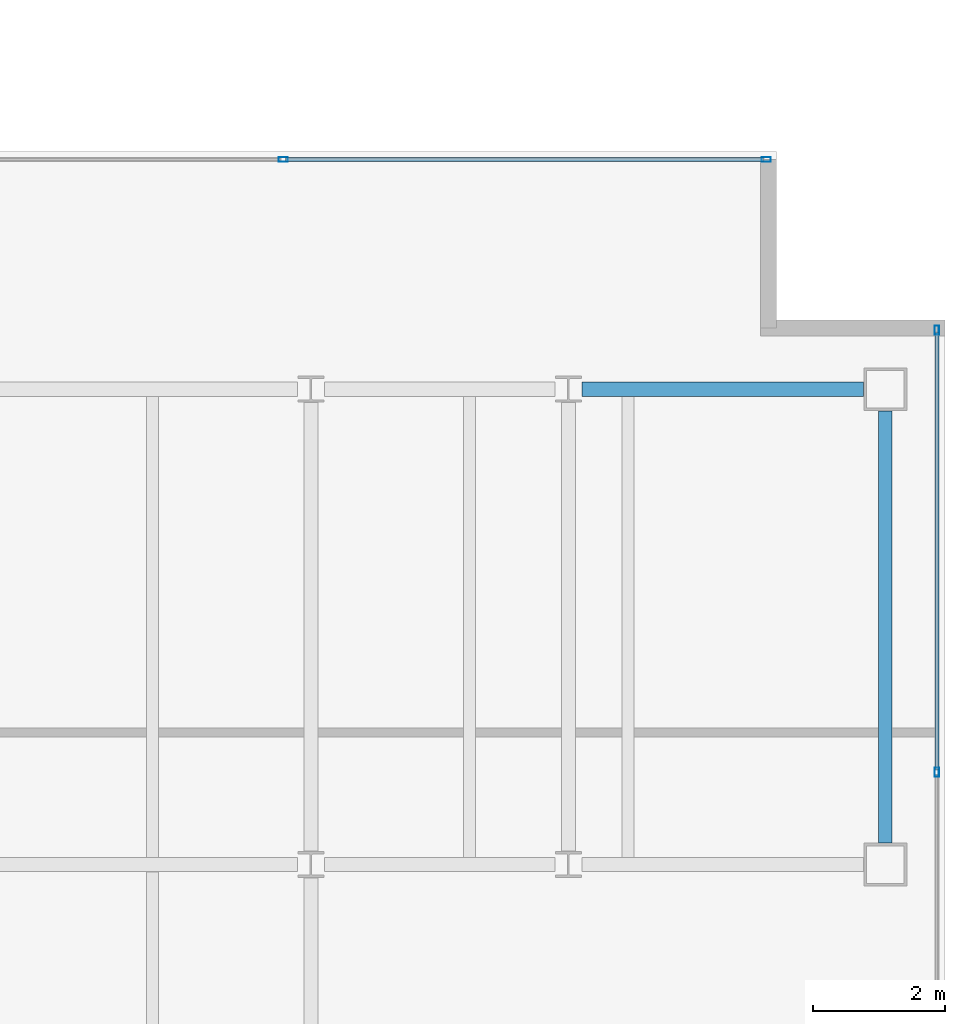
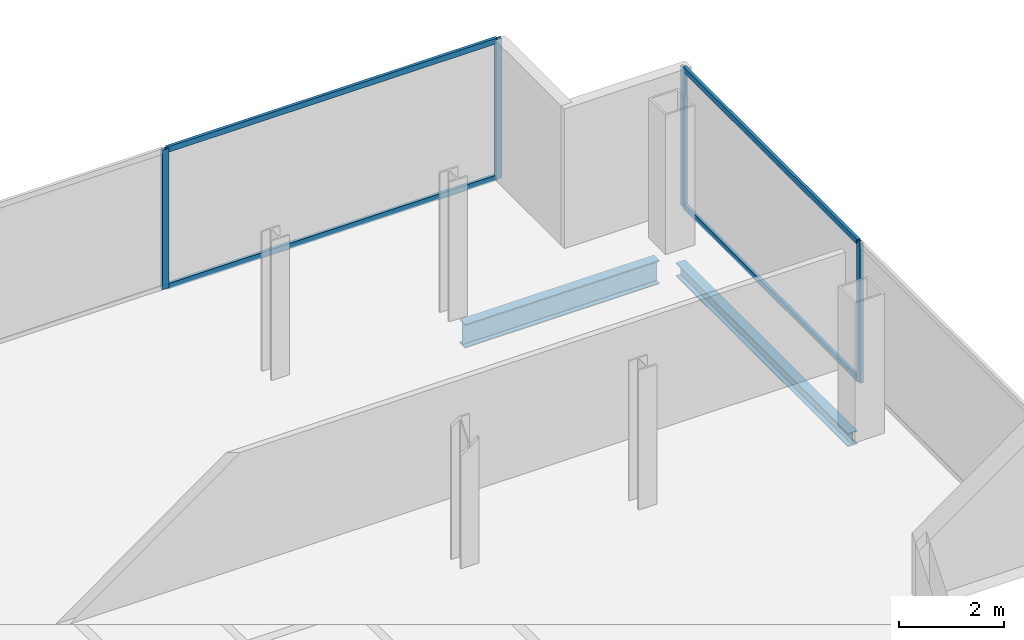
# One storey, part 16 of 23: 8 members, 2 beams, 2 elements without a shape of their own.
"""IFC4 building model written with IfcOpenShell, lengths in metres."""

import ifcopenshell
import ifcopenshell.guid

model = None  # the IFC model being written
_history = None  # IfcOwnerHistory: only IFC2X3 demands one
_inside = {}  # id of a spatial element -> (the spatial element, [elements in it])
_under = {}  # id of a project, library or spatial element -> (it, [spatial elements below it])
_declared = {}  # id of a project -> (the project, [libraries it declares])
_typed = {}  # id of a type object -> (the type object, [elements of that type])
_made_of = {}  # id of a material, layer set ... -> (it, [elements and type objects made of it])


def new_model(schema):
    """Start an empty IFC model of exactly this schema.

    Asked for "IFC4X3", IfcOpenShell would pick the latest addendum, in which some entities
    have other attributes; the version numbers below select the first issue.
    IFC2X3 requires an IfcOwnerHistory on every rooted entity: one is made here for all.
    """
    global model, _history
    if schema == "IFC4X3":
        model = ifcopenshell.file(schema_version=(4, 3, 0, 0))
    else:
        model = ifcopenshell.file(schema=schema)
    _inside.clear()
    _under.clear()
    _declared.clear()
    _typed.clear()
    _made_of.clear()
    _history = None
    if model.schema == "IFC2X3":
        org = make("IfcOrganization", Name="unknown")
        user = make(
            "IfcPersonAndOrganization",
            ThePerson=make("IfcPerson", FamilyName="unknown"),
            TheOrganization=org,
        )
        app = make(
            "IfcApplication",
            ApplicationDeveloper=org,
            Version="unknown",
            ApplicationFullName="unknown",
            ApplicationIdentifier="unknown",
        )
        _history = make(
            "IfcOwnerHistory",
            OwningUser=user,
            OwningApplication=app,
            ChangeAction="ADDED",
            CreationDate=0,
        )
    return model


def make(cls, **values):
    """One entity of the class cls with the attributes given. An attribute that is None is left unset."""
    return model.create_entity(
        cls, **{name: value for name, value in values.items() if value is not None}
    )


def rooted(cls, **values):
    """An entity with a GlobalId (a new one), such as an element, a storey or a relation."""
    return make(cls, GlobalId=ifcopenshell.guid.new(), OwnerHistory=_history, **values)


def si_unit(unit_type, name, prefix=None):
    """IfcSIUnit, for example si_unit("LENGTHUNIT", "METRE", prefix="MILLI")."""
    return make("IfcSIUnit", UnitType=unit_type, Prefix=prefix, Name=name)


def assignment(units):
    """IfcUnitAssignment: the units of a project."""
    return None if units is None else make("IfcUnitAssignment", Units=units)


def point(xyz):
    """IfcCartesianPoint."""
    return None if xyz is None else make("IfcCartesianPoint", Coordinates=xyz)


def direction(xyz):
    """IfcDirection."""
    return None if xyz is None else make("IfcDirection", DirectionRatios=xyz)


def frame(location, z_axis=None, x_axis=None):
    """IfcAxis2Placement3D, a coordinate frame: its origin and axes. An axis left out is left unset."""
    return make(
        "IfcAxis2Placement3D",
        Location=point(location),
        Axis=direction(z_axis),
        RefDirection=direction(x_axis),
    )


def frame_2d(location, x_axis=None):
    """IfcAxis2Placement2D, a coordinate frame in the plane: its origin and x axis."""
    return make(
        "IfcAxis2Placement2D", Location=point(location), RefDirection=direction(x_axis)
    )


def origin():
    """The frame at (0, 0, 0) with its axes left unset."""
    return frame((0.0, 0.0, 0.0))


def origin_2d():
    """The frame at (0, 0) in the plane with its x axis left unset."""
    return frame_2d((0.0, 0.0))


def place(relative_to, where):
    """IfcLocalPlacement: puts the frame where relative to a parent placement (None: the world)."""
    return make(
        "IfcLocalPlacement", PlacementRelTo=relative_to, RelativePlacement=where
    )


def context(
    kind, dimensions, precision=None, world=None, true_north=None, identifier=None
):
    """IfcGeometricRepresentationContext, for example the 3D "Model" context."""
    return make(
        "IfcGeometricRepresentationContext",
        ContextIdentifier=identifier,
        ContextType=kind,
        CoordinateSpaceDimension=dimensions,
        Precision=precision,
        WorldCoordinateSystem=world,
        TrueNorth=true_north,
    )


def subcontext(parent, identifier, kind, view, scale=None):
    """IfcGeometricRepresentationSubContext, for example "Body" below "Model"."""
    return make(
        "IfcGeometricRepresentationSubContext",
        ContextIdentifier=identifier,
        ContextType=kind,
        ParentContext=parent,
        TargetScale=scale,
        TargetView=view,
    )


def project(units=None, contexts=None):
    """IfcProject with its units and contexts."""
    return rooted(
        "IfcProject",
        Name="project",
        RepresentationContexts=contexts,
        UnitsInContext=assignment(units),
    )


def spatial(cls, under=None, at=None, **own):
    """A site, building, storey or space (cls), placed at a placement, below another one or the project."""
    s = rooted(cls, ObjectPlacement=at, **own)
    if under is not None:
        _under.setdefault(under.id(), (under, []))[1].append(s)
    return s


def profile(cls, at=None, kind="AREA", **sizes):
    """A parametric profile (cls). Its sizes go by their IFC names, for example OverallWidth=200.0."""
    return make(cls, ProfileType=kind, Position=at, **sizes)


def hollow_rectangle(**sizes):
    """IfcRectangleHollowProfileDef."""
    return profile("IfcRectangleHollowProfileDef", **sizes)


def i_section(**sizes):
    """IfcIShapeProfileDef."""
    return profile("IfcIShapeProfileDef", **sizes)


def extrude(swept, where, along, depth):
    """IfcExtrudedAreaSolid: the profile swept, set in the frame where, extruded along a direction by depth."""
    return make(
        "IfcExtrudedAreaSolid",
        SweptArea=swept,
        Position=where,
        ExtrudedDirection=direction(along),
        Depth=depth,
    )


def shape(context_of_items, identifier, shape_type, items):
    """IfcShapeRepresentation: the items that make up one representation, for example the "Body"."""
    return make(
        "IfcShapeRepresentation",
        ContextOfItems=context_of_items,
        RepresentationIdentifier=identifier,
        RepresentationType=shape_type,
        Items=items,
    )


def material(Name=None, Category=None):
    """IfcMaterial."""
    return make("IfcMaterial", Name=Name, Category=Category)


def material_profile(
    of_material, cross_section, Name=None, Category=None, Priority=None
):
    """IfcMaterialProfile: a cross section and its material."""
    return make(
        "IfcMaterialProfile",
        Name=Name,
        Material=of_material,
        Profile=cross_section,
        Priority=Priority,
        Category=Category,
    )


def profile_set(profiles, Name=None, composite=None):
    """IfcMaterialProfileSet."""
    return make(
        "IfcMaterialProfileSet",
        Name=Name,
        MaterialProfiles=profiles,
        CompositeProfile=composite,
    )


def made_of(thing, what):
    """Note that an element or type object is made of a material, layer set ...; save() writes the relation."""
    if what is not None:
        _made_of.setdefault(what.id(), (what, []))[1].append(thing)
    return thing


def type_object(cls, material=None, **own):
    """A type object (cls), such as IfcWallType, which elements share."""
    return made_of(rooted(cls, **own), material)


def element(
    cls,
    number,
    at=None,
    inside=None,
    cuts=None,
    type_object=None,
    material=None,
    context=None,
    identifier="Body",
    shape_type=None,
    held_by="IfcProductDefinitionShape",
    body=None,
    shapes=None,
    **own,
):
    """One element of the class cls, such as IfcWall. Its Tag is "e" and its number.

    at: its placement. inside: the storey or other place that contains it. cuts: it is an
    opening in that element (IfcRelVoidsElement). A single representation is given by context,
    identifier, shape_type and body (its items); several are given by shapes. held_by: the class
    of the entity that holds the representations. save() writes the other relations.
    """
    e = rooted(cls, Tag="e%d" % number, ObjectPlacement=at, **own)
    if body is not None:
        shapes = [shape(context, identifier, shape_type, body)]
    if shapes is not None:
        e.Representation = make(held_by, Representations=shapes)
    if inside is not None:
        _inside.setdefault(inside.id(), (inside, []))[1].append(e)
    if cuts is not None:
        rooted(
            "IfcRelVoidsElement", RelatingBuildingElement=cuts, RelatedOpeningElement=e
        )
    if type_object is not None:
        _typed.setdefault(type_object.id(), (type_object, []))[1].append(e)
    return made_of(e, material)


def aggregate(whole, parts):
    """IfcRelAggregates: a whole, such as a stair, and the parts it consists of."""
    return rooted("IfcRelAggregates", RelatingObject=whole, RelatedObjects=parts)


def save(model, path):
    """Write the relations noted so far, then the file.

    IfcRelAggregates (storeys below a building ...), IfcRelContainedInSpatialStructure (elements
    in a storey), IfcRelDefinesByType, IfcRelAssociatesMaterial and IfcRelDeclares: one each for
    every whole, place, type object, material and project.
    """
    for whole, parts in _under.values():
        aggregate(whole, parts)
    for where, things in _inside.values():
        rooted(
            "IfcRelContainedInSpatialStructure",
            RelatedElements=things,
            RelatingStructure=where,
        )
    for kind, things in _typed.values():
        rooted("IfcRelDefinesByType", RelatedObjects=things, RelatingType=kind)
    for what, things in _made_of.values():
        rooted("IfcRelAssociatesMaterial", RelatedObjects=things, RelatingMaterial=what)
    for by, libraries in _declared.values():
        rooted("IfcRelDeclares", RelatingContext=by, RelatedDefinitions=libraries)
    model.write(path)


model = new_model("IFC4")

# Units and contexts
model_context = context("Model", 3, precision=1e-05, world=origin(), true_north=direction((0.0, 1.0)))
body_context = subcontext(model_context, "Body", "Model", "MODEL_VIEW")
ifc_project = project(units=[si_unit("LENGTHUNIT", "METRE"), si_unit("AREAUNIT", "SQUARE_METRE"), si_unit("VOLUMEUNIT", "CUBIC_METRE"), si_unit("PLANEANGLEUNIT", "RADIAN"), si_unit("MASSUNIT", "GRAM", prefix="KILO")], contexts=[model_context])

# Site, building, storey
site_placement = place(None, origin())
site = spatial("IfcSite", under=ifc_project, at=site_placement, CompositionType="ELEMENT")
building_placement = place(site_placement, origin())
building = spatial("IfcBuilding", under=site, at=building_placement, Name="Cobrela Telecom Tower", CompositionType="ELEMENT")
storey_placement = place(building_placement, frame((0.0, 0.0, 258.64990234375)))
storey = spatial("IfcBuildingStorey", under=building, at=storey_placement, Name="L67", CompositionType="ELEMENT", Elevation=258.64990234375)

# Beams
ifc_material_1 = material(Name="Steel ASTM A992 Grade 50", Category="steel")
ifc_material_profile_1 = material_profile(ifc_material_1, i_section(OverallWidth=0.212890625, OverallDepth=0.549072265625, WebThickness=0.0146484375, FlangeThickness=0.023681640625, FilletRadius=0.013916015625, at=origin_2d()), Name="W21X93")
ifc_profile_set_1 = profile_set([ifc_material_profile_1], Name="Steel ASTM A992 Grade 50")
beam_type_1 = type_object("IfcBeamType", Name="BM-GIRD-08", PredefinedType="USERDEFINED", material=ifc_profile_set_1)
beam_1_placement = place(storey_placement, frame((40.1044921875, 21.60009765625, -0.534423828125), z_axis=(1.0, 0.0, 0.0), x_axis=(0.0, 1.0, 0.0)))
element("IfcBeam", 1, at=beam_1_placement, inside=storey, type_object=beam_type_1, Name="L67 Primary Girder X14", ObjectType="GIRDER", PredefinedType="USERDEFINED", context=body_context, shape_type="SweptSolid", body=[
    extrude(i_section(OverallWidth=0.212890625, OverallDepth=0.549072265625, WebThickness=0.0146484375, FlangeThickness=0.023681640625, FilletRadius=0.013916015625, at=origin_2d()), origin(), (0.0, 0.0, 1.0), 4.265625),
])
ifc_material_profile_2 = material_profile(ifc_material_1, i_section(OverallWidth=0.205078125, OverallDepth=0.31005859375, WebThickness=0.009521484375, FlangeThickness=0.016357421875, FilletRadius=0.010986328125, at=origin_2d()), Name="W12X50")
ifc_profile_set_2 = profile_set([ifc_material_profile_2], Name="Steel ASTM A992 Grade 50")
beam_type_2 = type_object("IfcBeamType", Name="BM-SPAND-07", PredefinedType="SPANDREL", material=ifc_profile_set_2)
beam_2_placement = place(storey_placement, frame((44.699951171875, 14.72998046875, -0.414794921875), z_axis=(0.0, 1.0, 0.0), x_axis=(-1.0, 0.0, 0.0)))
element("IfcBeam", 2, at=beam_2_placement, inside=storey, type_object=beam_type_2, Name="L67 Perimeter Spandrel Y34", PredefinedType="SPANDREL", context=body_context, shape_type="SweptSolid", body=[
    extrude(i_section(OverallWidth=0.205078125, OverallDepth=0.31005859375, WebThickness=0.009521484375, FlangeThickness=0.016357421875, FilletRadius=0.010986328125, at=origin_2d()), origin(), (0.0, 0.0, 1.0), 6.5400390625),
])

# Curtain wall, members
ifc_material_2 = material(Name="Anodized Bronze Aluminium 6063-T6", Category="aluminium")
curtain_wall_type = type_object("IfcCurtainWallType", Name="CW-SYS-OFF-HI", PredefinedType="USERDEFINED", material=ifc_material_2)
curtain_wall_1_placement = place(storey_placement, origin())
curtain_wall_1 = element("IfcCurtainWall", 3, at=curtain_wall_1_placement, inside=storey, type_object=curtain_wall_type, Name="L67 Unitised Bronze Curtain Wall 09", ObjectType="UNITISED CURTAIN WALL", PredefinedType="USERDEFINED")
ifc_material_profile_3 = material_profile(ifc_material_2, hollow_rectangle(XDim=0.070068359375, YDim=0.139892578125, WallThickness=0.00390625, at=origin_2d()), Name="ALU 70x140x4")
ifc_profile_set_3 = profile_set([ifc_material_profile_3], Name="Anodized Bronze Aluminium 6063-T6")
member_type_1 = type_object("IfcMemberType", Name="CW-SYS-OFF-HI-MUL", PredefinedType="MULLION", material=ifc_profile_set_3)
member_1_placement = place(storey_placement, frame((35.580078125, 25.080078125, 0.0), z_axis=(0.0, 0.0, 1.0), x_axis=(0.0, 1.0, 0.0)))
member_1 = element("IfcMember", 4, at=member_1_placement, type_object=member_type_1, Name="CW-OFF-HI mullion 3", PredefinedType="MULLION", context=body_context, shape_type="SweptSolid", body=[
    extrude(hollow_rectangle(XDim=0.070068359375, YDim=0.139892578125, WallThickness=0.00390625, at=origin_2d()), origin(), (0.0, 0.0, 1.0), 3.239990234375),
])
member_2_placement = place(storey_placement, frame((42.89501953125, 25.080078125, 0.0), z_axis=(0.0, 0.0, 1.0), x_axis=(0.0, 1.0, 0.0)))
member_2 = element("IfcMember", 5, at=member_2_placement, type_object=member_type_1, Name="CW-OFF-HI mullion 4", PredefinedType="MULLION", context=body_context, shape_type="SweptSolid", body=[
    extrude(hollow_rectangle(XDim=0.070068359375, YDim=0.139892578125, WallThickness=0.00390625, at=origin_2d()), origin(), (0.0, 0.0, 1.0), 3.239990234375),
])

curtain_wall_2_placement = place(storey_placement, origin())
curtain_wall_2 = element("IfcCurtainWall", 6, at=curtain_wall_2_placement, inside=storey, type_object=curtain_wall_type, Name="L67 Unitised Bronze Curtain Wall 12", ObjectType="UNITISED CURTAIN WALL", PredefinedType="USERDEFINED")
member_3_placement = place(storey_placement, frame((45.47998046875, 22.4951171875, 0.0), z_axis=(0.0, 0.0, 1.0), x_axis=(1.0, 0.0, 0.0)))
member_3 = element("IfcMember", 7, at=member_3_placement, type_object=member_type_1, Name="CW-OFF-HI mullion 1", PredefinedType="MULLION", context=body_context, shape_type="SweptSolid", body=[
    extrude(hollow_rectangle(XDim=0.070068359375, YDim=0.139892578125, WallThickness=0.00390625, at=origin_2d()), origin(), (0.0, 0.0, 1.0), 3.239990234375),
])
member_4_placement = place(storey_placement, frame((45.47998046875, 15.800048828125, 0.0), z_axis=(0.0, 0.0, 1.0), x_axis=(1.0, 0.0, 0.0)))
member_4 = element("IfcMember", 8, at=member_4_placement, type_object=member_type_1, Name="CW-OFF-HI mullion 2", PredefinedType="MULLION", context=body_context, shape_type="SweptSolid", body=[
    extrude(hollow_rectangle(XDim=0.070068359375, YDim=0.139892578125, WallThickness=0.00390625, at=origin_2d()), origin(), (0.0, 0.0, 1.0), 3.239990234375),
])

# Member
ifc_material_profile_4 = material_profile(ifc_material_2, hollow_rectangle(XDim=0.06494140625, YDim=0.1298828125, WallThickness=0.00390625, at=origin_2d()), Name="ALU 65x130x4")
ifc_profile_set_4 = profile_set([ifc_material_profile_4], Name="Anodized Bronze Aluminium 6063-T6")
member_type_2 = type_object("IfcMemberType", Name="CW-SYS-OFF-HI-TRN", PredefinedType="USERDEFINED", material=ifc_profile_set_4)
member_5_placement = place(storey_placement, frame((35.614990234375, 25.080078125, 0.03271484375), z_axis=(1.0, 0.0, 0.0), x_axis=(0.0, 1.0, 0.0)))
member_5 = element("IfcMember", 9, at=member_5_placement, type_object=member_type_2, Name="CW-OFF-HI transom 3.1", ObjectType="TRANSOM", PredefinedType="USERDEFINED", context=body_context, shape_type="SweptSolid", body=[
    extrude(hollow_rectangle(XDim=0.06494140625, YDim=0.1298828125, WallThickness=0.00390625, at=origin_2d()), origin(), (0.0, 0.0, 1.0), 7.2451171875),
])

member_6_placement = place(storey_placement, frame((35.614990234375, 25.080078125, 3.20751953125), z_axis=(1.0, 0.0, 0.0), x_axis=(0.0, 1.0, 0.0)))
member_6 = element("IfcMember", 10, at=member_6_placement, type_object=member_type_2, Name="CW-OFF-HI transom 3.2", ObjectType="TRANSOM", PredefinedType="USERDEFINED", context=body_context, shape_type="SweptSolid", body=[
    extrude(hollow_rectangle(XDim=0.06494140625, YDim=0.1298828125, WallThickness=0.00390625, at=origin_2d()), origin(), (0.0, 0.0, 1.0), 7.2451171875),
])

aggregate(curtain_wall_1, [member_1, member_2, member_5, member_6])

member_7_placement = place(storey_placement, frame((45.47998046875, 22.4599609375, 0.03271484375), z_axis=(0.0, -1.0, 0.0), x_axis=(1.0, 0.0, 0.0)))
member_7 = element("IfcMember", 11, at=member_7_placement, type_object=member_type_2, Name="CW-OFF-HI transom 1.1", ObjectType="TRANSOM", PredefinedType="USERDEFINED", context=body_context, shape_type="SweptSolid", body=[
    extrude(hollow_rectangle(XDim=0.06494140625, YDim=0.1298828125, WallThickness=0.00390625, at=origin_2d()), origin(), (0.0, 0.0, 1.0), 6.625),
])

member_8_placement = place(storey_placement, frame((45.47998046875, 22.4599609375, 3.20751953125), z_axis=(0.0, -1.0, 0.0), x_axis=(1.0, 0.0, 0.0)))
member_8 = element("IfcMember", 12, at=member_8_placement, type_object=member_type_2, Name="CW-OFF-HI transom 1.2", ObjectType="TRANSOM", PredefinedType="USERDEFINED", context=body_context, shape_type="SweptSolid", body=[
    extrude(hollow_rectangle(XDim=0.06494140625, YDim=0.1298828125, WallThickness=0.00390625, at=origin_2d()), origin(), (0.0, 0.0, 1.0), 6.625),
])

aggregate(curtain_wall_2, [member_3, member_4, member_7, member_8])

save(model, "model.ifc")
